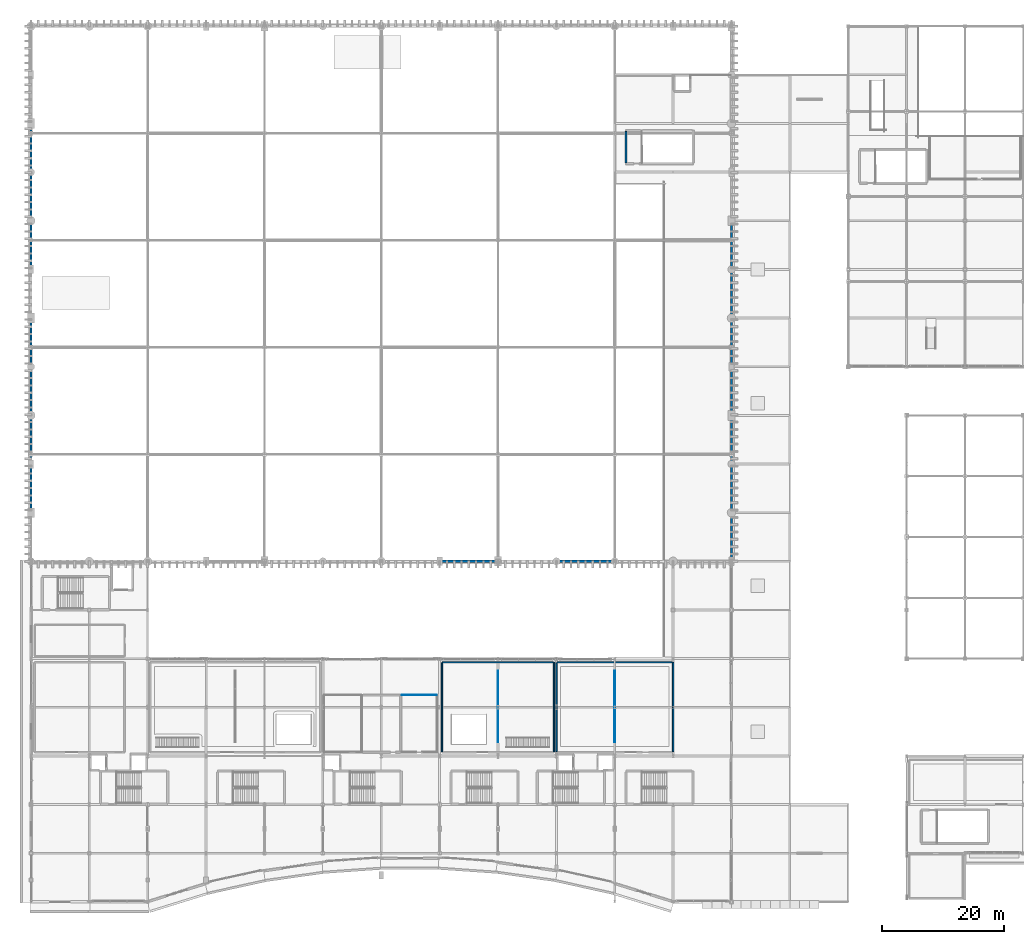
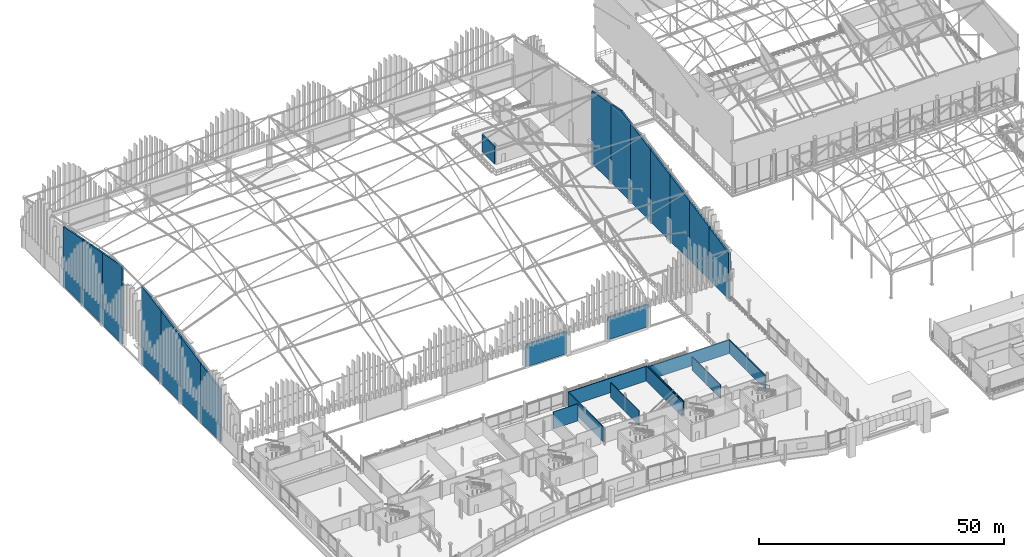
# One storey, part 153 of 193: 26 walls.
"""IFC4 building model written with IfcOpenShell, lengths in metres."""

from ifc_helpers import new_model, si_unit, direction, frame, frame_2d, origin, place, context, subcontext, project, spatial, polyline, rectangle, outline, extrude, material, layer, layer_set, type_object, element, save


model = new_model("IFC4")

# Units and contexts
model_context = context("Model", 3, precision=1e-05, world=origin(), true_north=direction((0.0, 1.0)))
body_context = subcontext(model_context, "Body", "Model", "MODEL_VIEW")
ifc_project = project(units=[si_unit("LENGTHUNIT", "METRE"), si_unit("AREAUNIT", "SQUARE_METRE"), si_unit("VOLUMEUNIT", "CUBIC_METRE"), si_unit("PLANEANGLEUNIT", "RADIAN"), si_unit("MASSUNIT", "GRAM", prefix="KILO")], contexts=[model_context])

# Site, building, storey
site_placement = place(None, origin())
site = spatial("IfcSite", under=ifc_project, at=site_placement, CompositionType="ELEMENT")
building_placement = place(site_placement, origin())
building = spatial("IfcBuilding", under=site, at=building_placement, Name="Danafjord Basin Convention Centre", CompositionType="ELEMENT")
storey_placement = place(building_placement, frame((0.0, 0.0, 11.39990234375)))
storey = spatial("IfcBuildingStorey", under=building, at=storey_placement, Name="L02", CompositionType="ELEMENT", Elevation=11.39990234375)

# Walls
ifc_material_1 = material(Name="Concrete C40/50", Category="concrete")
ifc_layer_1 = layer(ifc_material_1, 0.300048828125)
ifc_layer_set_1 = layer_set([ifc_layer_1], Name="Concrete C40/50")
wall_type_1 = type_object("IfcWallType", Name="WALL-CW-CORE300", PredefinedType="SHEAR", material=ifc_layer_set_1)
wall_1_placement = place(storey_placement, frame((97.85009765625, 126.72509765625, 0.0), z_axis=(0.0, 0.0, 1.0), x_axis=(0.0, -1.0, 0.0)))
element("IfcWall", 1, at=wall_1_placement, inside=storey, type_object=wall_type_1, Name="North Exhibition Core Stair 1 core shear wall (west)", PredefinedType="SHEAR", context=body_context, shape_type="SweptSolid", body=[
    extrude(rectangle(XDim=5.190185546875, YDim=0.300048828125, at=frame_2d((2.59521484375, 0.0))), origin(), (0.0, 0.0, 1.0), 4.255126953125),
])
ifc_material_2 = material(Name="Precast concrete C45/55", Category="concrete")
ifc_layer_2 = layer(ifc_material_2, 0.3798828125)
ifc_layer_set_2 = layer_set([ifc_layer_2], Name="Precast concrete C45/55")
wall_type_2 = type_object("IfcWallType", Name="WALL-EW-PC380", PredefinedType="SOLIDWALL", material=ifc_layer_set_2)
for number, where, z_axis, x_axis, name in (
    (2, (67.199951171875, 56.0, 0.0), (0.0, 0.0, 1.0), (1.0, 0.0, 0.0), "Exhibition hall S clerestory precast wall"),
    (3, (86.39990234375, 56.0, 0.0), (0.0, 0.0, 1.0), (1.0, 0.0, 0.0), "Exhibition hall S clerestory precast wall"),
):
    element("IfcWall", number, at=place(storey_placement, frame(where, z_axis=z_axis, x_axis=x_axis)), inside=storey, type_object=wall_type_2, Name=name, PredefinedType="SOLIDWALL", context=body_context, shape_type="SweptSolid", body=[
        extrude(rectangle(XDim=9.60009765625, YDim=0.3798828125, at=frame_2d((4.800048828125, 0.0))), origin(), (0.0, 0.0, 1.0), 5.550048828125),
    ])
wall_2_placement = place(storey_placement, frame((115.199951171875, 56.0, 0.0), z_axis=(0.0, 0.0, 1.0), x_axis=(0.0, 1.0, 0.0)))
element("IfcWall", 4, at=wall_2_placement, inside=storey, type_object=wall_type_2, Name="Wave-crested architectural precast gable wall E-1", PredefinedType="SOLIDWALL", context=body_context, shape_type="SweptSolid", body=[
    extrude(outline(polyline([(0.0, 0.0), (8.0, 0.0), (8.0, 13.114013671875), (4.0, 12.281982421875), (0.0, 11.4501953125), (0.0, 0.0)])), frame((0.0, 0.18994140625, 0.0), z_axis=(0.0, -1.0, 0.0), x_axis=(1.0, 0.0, 0.0)), (0.0, 0.0, 1.0), 0.3798828125),
])
for number, where, z_axis, x_axis, name in (
    (5, (0.0, 64.0, 0.0), (0.0, 0.0, 1.0), (0.0, 1.0, 0.0), "Wave-crested architectural precast gable wall W-2"),
    (6, (115.199951171875, 64.0, 0.0), (0.0, 0.0, 1.0), (0.0, 1.0, 0.0), "Wave-crested architectural precast gable wall E-2"),
):
    element("IfcWall", number, at=place(storey_placement, frame(where, z_axis=z_axis, x_axis=x_axis)), inside=storey, type_object=wall_type_2, Name=name, PredefinedType="SOLIDWALL", context=body_context, shape_type="SweptSolid", body=[
        extrude(outline(polyline([(0.0, 0.0), (8.0, 0.0), (8.0, 14.778076171875), (4.0, 13.946044921875), (0.0, 13.114013671875), (0.0, 0.0)])), frame((0.0, 0.18994140625, 0.0), z_axis=(0.0, -1.0, 0.0), x_axis=(1.0, 0.0, 0.0)), (0.0, 0.0, 1.0), 0.3798828125),
    ])
for number, where, z_axis, x_axis, name in (
    (7, (0.0, 72.0, 0.0), (0.0, 0.0, 1.0), (0.0, 1.0, 0.0), "Wave-crested architectural precast gable wall W-3"),
    (8, (115.199951171875, 72.0, 0.0), (0.0, 0.0, 1.0), (0.0, 1.0, 0.0), "Wave-crested architectural precast gable wall E-3"),
):
    element("IfcWall", number, at=place(storey_placement, frame(where, z_axis=z_axis, x_axis=x_axis)), inside=storey, type_object=wall_type_2, Name=name, PredefinedType="SOLIDWALL", context=body_context, shape_type="SweptSolid", body=[
        extrude(outline(polyline([(0.0, 0.0), (8.0, 0.0), (8.0, 16.41015625), (4.0, 15.610107421875), (0.0, 14.778076171875), (0.0, 0.0)])), frame((0.0, 0.18994140625, 0.0), z_axis=(0.0, -1.0, 0.0), x_axis=(1.0, 0.0, 0.0)), (0.0, 0.0, 1.0), 0.3798828125),
    ])
for number, where, z_axis, x_axis, name in (
    (9, (0.0, 80.0, 0.0), (0.0, 0.0, 1.0), (0.0, 1.0, 0.0), "Wave-crested architectural precast gable wall W-4"),
    (10, (115.199951171875, 80.0, 0.0), (0.0, 0.0, 1.0), (0.0, 1.0, 0.0), "Wave-crested architectural precast gable wall E-4"),
):
    element("IfcWall", number, at=place(storey_placement, frame(where, z_axis=z_axis, x_axis=x_axis)), inside=storey, type_object=wall_type_2, Name=name, PredefinedType="SOLIDWALL", context=body_context, shape_type="SweptSolid", body=[
        extrude(outline(polyline([(0.0, 0.0), (8.0, 0.0), (8.0, 17.946044921875), (4.0, 17.177978515625), (0.0, 16.41015625), (0.0, 0.0)])), frame((0.0, 0.18994140625, 0.0), z_axis=(0.0, -1.0, 0.0), x_axis=(1.0, 0.0, 0.0)), (0.0, 0.0, 1.0), 0.3798828125),
    ])
for number, where, z_axis, x_axis, name in (
    (11, (0.0, 88.0, 0.0), (0.0, 0.0, 1.0), (0.0, 1.0, 0.0), "Wave-crested architectural precast gable wall W-5"),
    (12, (115.199951171875, 88.0, 0.0), (0.0, 0.0, 1.0), (0.0, 1.0, 0.0), "Wave-crested architectural precast gable wall E-5"),
):
    element("IfcWall", number, at=place(storey_placement, frame(where, z_axis=z_axis, x_axis=x_axis)), inside=storey, type_object=wall_type_2, Name=name, PredefinedType="SOLIDWALL", context=body_context, shape_type="SweptSolid", body=[
        extrude(outline(polyline([(0.0, 0.0), (8.0, 0.0), (8.0, 19.482177734375), (4.0, 18.714111328125), (0.0, 17.946044921875), (0.0, 0.0)])), frame((0.0, 0.18994140625, 0.0), z_axis=(0.0, -1.0, 0.0), x_axis=(1.0, 0.0, 0.0)), (0.0, 0.0, 1.0), 0.3798828125),
    ])
wall_3_placement = place(storey_placement, frame((115.199951171875, 96.0, 0.0), z_axis=(0.0, 0.0, 1.0), x_axis=(0.0, 1.0, 0.0)))
element("IfcWall", 13, at=wall_3_placement, inside=storey, type_object=wall_type_2, Name="Wave-crested architectural precast gable wall E-6", PredefinedType="SOLIDWALL", context=body_context, shape_type="SweptSolid", body=[
    extrude(outline(polyline([(0.0, 0.0), (8.0, 0.0), (8.0, 19.482177734375), (4.0, 20.25), (0.0, 19.482177734375), (0.0, 0.0)])), frame((0.0, 0.18994140625, 0.0), z_axis=(0.0, -1.0, 0.0), x_axis=(1.0, 0.0, 0.0)), (0.0, 0.0, 1.0), 0.3798828125),
])
for number, where, z_axis, x_axis, name in (
    (14, (0.0, 104.0, 0.0), (0.0, 0.0, 1.0), (0.0, 1.0, 0.0), "Wave-crested architectural precast gable wall W-7"),
    (15, (115.199951171875, 104.0, 0.0), (0.0, 0.0, 1.0), (0.0, 1.0, 0.0), "Wave-crested architectural precast gable wall E-7"),
):
    element("IfcWall", number, at=place(storey_placement, frame(where, z_axis=z_axis, x_axis=x_axis)), inside=storey, type_object=wall_type_2, Name=name, PredefinedType="SOLIDWALL", context=body_context, shape_type="SweptSolid", body=[
        extrude(outline(polyline([(0.0, 0.0), (8.0, 0.0), (8.0, 17.946044921875), (4.0, 18.714111328125), (0.0, 19.482177734375), (0.0, 0.0)])), frame((0.0, 0.18994140625, 0.0), z_axis=(0.0, -1.0, 0.0), x_axis=(1.0, 0.0, 0.0)), (0.0, 0.0, 1.0), 0.3798828125),
    ])
wall_4_placement = place(storey_placement, frame((0.0, 112.0, 0.0), z_axis=(0.0, 0.0, 1.0), x_axis=(0.0, 1.0, 0.0)))
element("IfcWall", 16, at=wall_4_placement, inside=storey, type_object=wall_type_2, Name="Wave-crested architectural precast gable wall W-8", PredefinedType="SOLIDWALL", context=body_context, shape_type="SweptSolid", body=[
    extrude(outline(polyline([(0.0, 0.0), (8.0, 0.0), (8.0, 16.41015625), (4.0, 17.177978515625), (0.0, 17.946044921875), (0.0, 0.0)])), frame((0.0, 0.18994140625, 0.0), z_axis=(0.0, -1.0, 0.0), x_axis=(1.0, 0.0, 0.0)), (0.0, 0.0, 1.0), 0.3798828125),
])
wall_5_placement = place(storey_placement, frame((0.0, 120.0, 0.0), z_axis=(0.0, 0.0, 1.0), x_axis=(0.0, 1.0, 0.0)))
element("IfcWall", 17, at=wall_5_placement, inside=storey, type_object=wall_type_2, Name="Wave-crested architectural precast gable wall W-9", PredefinedType="SOLIDWALL", context=body_context, shape_type="SweptSolid", body=[
    extrude(outline(polyline([(0.0, 0.0), (8.0, 0.0), (8.0, 14.778076171875), (4.0, 15.610107421875), (0.0, 16.41015625), (0.0, 0.0)])), frame((0.0, 0.18994140625, 0.0), z_axis=(0.0, -1.0, 0.0), x_axis=(1.0, 0.0, 0.0)), (0.0, 0.0, 1.0), 0.3798828125),
])
ifc_material_3 = material(Name="Acoustic twin-stud gypsum and mineral wool")
ifc_layer_3 = layer(ifc_material_3, 0.219970703125)
ifc_layer_set_3 = layer_set([ifc_layer_3], Name="Acoustic twin-stud gypsum and mineral wool")
wall_type_3 = type_object("IfcWallType", Name="WALL-PT-AC220", PredefinedType="PARTITIONING", material=ifc_layer_set_3)
wall_6_placement = place(storey_placement, frame((86.0, 24.714111328125, 0.0), z_axis=(0.0, 0.0, 1.0), x_axis=(0.0, 1.0, 0.0)))
element("IfcWall", 18, at=wall_6_placement, inside=storey, type_object=wall_type_3, Name="Subdivisible Conference Hall C203 east partition", PredefinedType="PARTITIONING", context=body_context, shape_type="SweptSolid", body=[
    extrude(rectangle(XDim=14.685791015625, YDim=0.219970703125, at=frame_2d((7.3427734375, 0.0))), origin(), (0.0, 0.0, 1.0), 3.739990234375),
])
wall_7_placement = place(storey_placement, frame((85.885986328125, 39.39990234375, 0.0), z_axis=(0.0, 0.0, 1.0), x_axis=(-1.0, 0.0, 0.0)))
element("IfcWall", 19, at=wall_7_placement, inside=storey, type_object=wall_type_3, Name="Subdivisible Conference Hall C203 north partition", PredefinedType="PARTITIONING", context=body_context, shape_type="SweptSolid", body=[
    extrude(rectangle(XDim=18.285888671875, YDim=0.219970703125, at=frame_2d((9.14306640625, 0.0))), origin(), (0.0, 0.0, 1.0), 3.64013671875),
])
wall_8_placement = place(storey_placement, frame((67.60009765625, 39.285888671875, 0.0), z_axis=(0.0, 0.0, 1.0), x_axis=(0.0, -1.0, 0.0)))
element("IfcWall", 20, at=wall_8_placement, inside=storey, type_object=wall_type_3, Name="Subdivisible Conference Hall C203 west partition", PredefinedType="PARTITIONING", context=body_context, shape_type="SweptSolid", body=[
    extrude(rectangle(XDim=14.57177734375, YDim=0.219970703125, at=frame_2d((7.285888671875, 0.0))), origin(), (0.0, 0.0, 1.0), 3.690185546875),
])
wall_9_placement = place(storey_placement, frame((105.60009765625, 24.714111328125, 0.0), z_axis=(0.0, 0.0, 1.0), x_axis=(0.0, 1.0, 0.0)))
element("IfcWall", 21, at=wall_9_placement, inside=storey, type_object=wall_type_3, Name="Subdivisible Conference Hall C204 east partition", PredefinedType="PARTITIONING", context=body_context, shape_type="SweptSolid", body=[
    extrude(rectangle(XDim=14.685791015625, YDim=0.219970703125, at=frame_2d((7.3427734375, 0.0))), origin(), (0.0, 0.0, 1.0), 3.340087890625),
])
wall_10_placement = place(storey_placement, frame((105.486083984375, 39.39990234375, 0.0), z_axis=(0.0, 0.0, 1.0), x_axis=(-1.0, 0.0, 0.0)))
element("IfcWall", 22, at=wall_10_placement, inside=storey, type_object=wall_type_3, Name="Subdivisible Conference Hall C204 north partition", PredefinedType="PARTITIONING", context=body_context, shape_type="SweptSolid", body=[
    extrude(rectangle(XDim=19.086181640625, YDim=0.219970703125, at=frame_2d((9.54296875, 0.0))), origin(), (0.0, 0.0, 1.0), 3.340087890625),
])
wall_11_placement = place(storey_placement, frame((86.39990234375, 39.285888671875, 0.0), z_axis=(0.0, 0.0, 1.0), x_axis=(0.0, -1.0, 0.0)))
element("IfcWall", 23, at=wall_11_placement, inside=storey, type_object=wall_type_3, Name="Subdivisible Conference Hall C204 west partition", PredefinedType="PARTITIONING", context=body_context, shape_type="SweptSolid", body=[
    extrude(rectangle(XDim=14.57177734375, YDim=0.219970703125, at=frame_2d((7.285888671875, 0.0))), origin(), (0.0, 0.0, 1.0), 3.64013671875),
])
ifc_material_4 = material(Name="Top-hung acoustic operable panel wall")
ifc_layer_4 = layer(ifc_material_4, 0.135009765625)
ifc_layer_set_4 = layer_set([ifc_layer_4], Name="Top-hung acoustic operable panel wall")
wall_type_4 = type_object("IfcWallType", Name="WALL-PT-MOV135", PredefinedType="MOVABLE", material=ifc_layer_set_4)
wall_12_placement = place(storey_placement, frame((76.800048828125, 26.2900390625, 0.0), z_axis=(0.0, 0.0, 1.0), x_axis=(0.0, 1.0, 0.0)))
element("IfcWall", 24, at=wall_12_placement, inside=storey, type_object=wall_type_4, Name="Subdivisible Conference Hall C203 operable acoustic wall", PredefinedType="MOVABLE", context=body_context, shape_type="SweptSolid", body=[
    extrude(rectangle(XDim=11.7099609375, YDim=0.135009765625, at=frame_2d((5.85498046875, 0.0))), origin(), (0.0, 0.0, 1.0), 3.64013671875),
])
wall_13_placement = place(storey_placement, frame((96.0, 26.2900390625, 0.0), z_axis=(0.0, 0.0, 1.0), x_axis=(0.0, 1.0, 0.0)))
element("IfcWall", 25, at=wall_13_placement, inside=storey, type_object=wall_type_4, Name="Subdivisible Conference Hall C204 operable acoustic wall", PredefinedType="MOVABLE", context=body_context, shape_type="SweptSolid", body=[
    extrude(rectangle(XDim=11.7099609375, YDim=0.135009765625, at=frame_2d((5.85498046875, 0.0))), origin(), (0.0, 0.0, 1.0), 3.340087890625),
])
ifc_material_5 = material(Name="Moisture-resistant gypsum stud partition")
ifc_layer_5 = layer(ifc_material_5, 0.1201171875)
ifc_layer_set_5 = layer_set([ifc_layer_5], Name="Moisture-resistant gypsum stud partition")
wall_type_5 = type_object("IfcWallType", Name="WALL-PT-ST120", PredefinedType="PARTITIONING", material=ifc_layer_set_5)
wall_14_placement = place(storey_placement, frame((66.736083984375, 34.0, 0.0), z_axis=(0.0, 0.0, 1.0), x_axis=(-1.0, 0.0, 0.0)))
element("IfcWall", 26, at=wall_14_placement, inside=storey, type_object=wall_type_5, Name="Level 2 Accessible WC north partition", PredefinedType="PARTITIONING", context=body_context, shape_type="SweptSolid", body=[
    extrude(rectangle(XDim=5.78955078125, YDim=0.1201171875, at=frame_2d((2.894775390625, 0.0))), origin(), (0.0, 0.0, 1.0), 4.27001953125),
])

save(model, "model.ifc")
